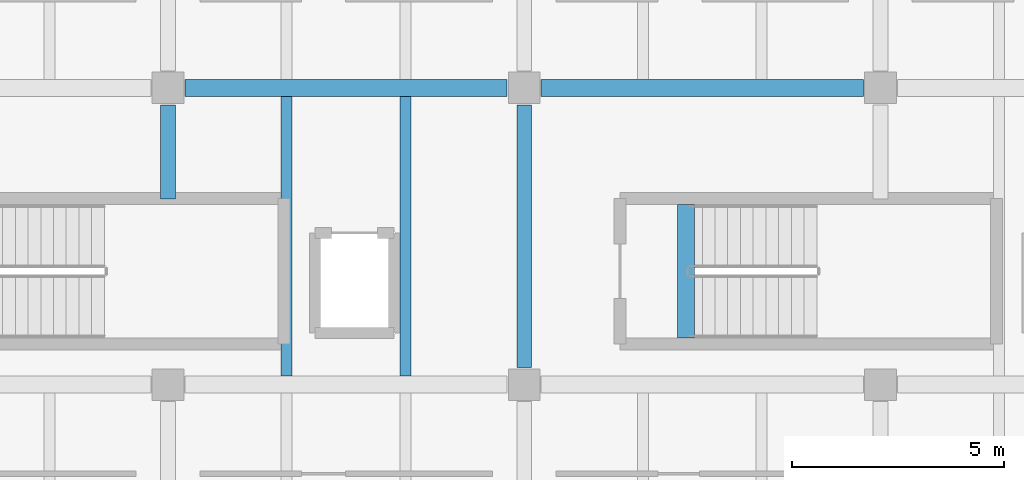
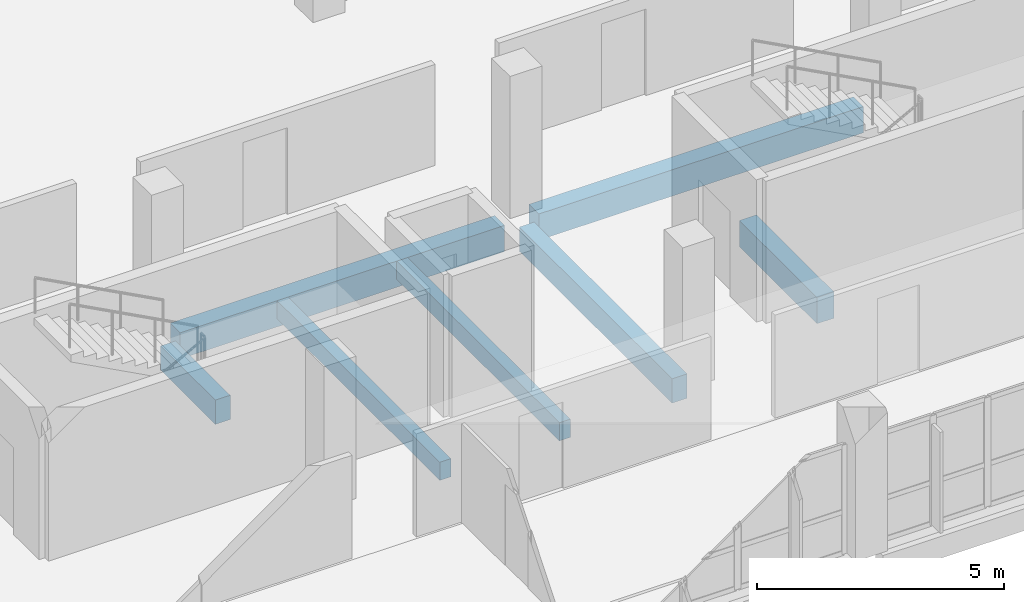
# One storey, part 9 of 95: 7 beams.
"""IFC4 building model written with IfcOpenShell, lengths in metres."""

from ifc_helpers import new_model, si_unit, direction, frame, origin, origin_2d, place, context, subcontext, project, spatial, rectangle, extrude, material, material_profile, profile_set, type_object, element, save


model = new_model("IFC4")

# Units and contexts
model_context = context("Model", 3, precision=1e-05, world=origin(), true_north=direction((0.0, 1.0)))
body_context = subcontext(model_context, "Body", "Model", "MODEL_VIEW")
ifc_project = project(units=[si_unit("LENGTHUNIT", "METRE"), si_unit("AREAUNIT", "SQUARE_METRE"), si_unit("VOLUMEUNIT", "CUBIC_METRE"), si_unit("PLANEANGLEUNIT", "RADIAN"), si_unit("MASSUNIT", "GRAM", prefix="KILO"), si_unit("THERMODYNAMICTEMPERATUREUNIT", "KELVIN"), si_unit("POWERUNIT", "WATT")], contexts=[model_context])

# Site, building, storey
site_placement = place(None, origin())
site = spatial("IfcSite", under=ifc_project, at=site_placement, CompositionType="ELEMENT")
building_placement = place(site_placement, origin())
building = spatial("IfcBuilding", under=site, at=building_placement, Name="Mavoryth Pier Ferry Terminal", CompositionType="ELEMENT")
storey_placement = place(building_placement, frame((0.0, 0.0, 9.60009765625)))
storey = spatial("IfcBuildingStorey", under=building, at=storey_placement, Name="L02", CompositionType="ELEMENT", Elevation=9.60009765625)

# Beams
ifc_material = material(Name="Concrete C35/45", Category="concrete")
ifc_material_profile_1 = material_profile(ifc_material, rectangle(XDim=0.35009765625, YDim=0.60009765625, at=origin_2d()), Name="RC 350x600", Category="concrete")
ifc_profile_set_1 = profile_set([ifc_material_profile_1], Name="Concrete C35/45 - RC 350x600")
beam_type_1 = type_object("IfcBeamType", Name="Girder-RC-350x600", PredefinedType="BEAM", material=ifc_profile_set_1)
beam_1_placement = place(storey_placement, frame((50.39990234375, 11.3798828125, -0.56005859375), z_axis=(0.0, 1.0, 0.0), x_axis=(-1.0, 0.0, 0.0)))
element("IfcBeam", 1, at=beam_1_placement, inside=storey, type_object=beam_type_1, Name="Beam B02-BG08-0979", PredefinedType="BEAM", context=body_context, shape_type="SweptSolid", body=[
    extrude(rectangle(XDim=0.35009765625, YDim=0.60009765625, at=origin_2d()), origin(), (0.0, 0.0, 1.0), 2.22021484375),
])
beam_2_placement = place(storey_placement, frame((58.800048828125, 7.39990234375, -0.56005859375), z_axis=(0.0, 1.0, 0.0), x_axis=(-1.0, 0.0, 0.0)))
element("IfcBeam", 2, at=beam_2_placement, inside=storey, type_object=beam_type_1, Name="Beam B02-BG08-0982", PredefinedType="BEAM", context=body_context, shape_type="SweptSolid", body=[
    extrude(rectangle(XDim=0.35009765625, YDim=0.60009765625, at=origin_2d()), origin(), (0.0, 0.0, 1.0), 6.2001953125),
])
ifc_material_profile_2 = material_profile(ifc_material, rectangle(XDim=0.39990234375, YDim=0.64990234375, at=origin_2d()), Name="RC 400x650", Category="concrete")
ifc_profile_set_2 = profile_set([ifc_material_profile_2], Name="Concrete C35/45 - RC 400x650")
beam_type_2 = type_object("IfcBeamType", Name="Girder-RC-400x650", PredefinedType="BEAM", material=ifc_profile_set_2)
beam_3_placement = place(storey_placement, frame((50.800048828125, 14.0, -0.585205078125), z_axis=(1.0, 0.0, 0.0), x_axis=(0.0, 1.0, 0.0)))
element("IfcBeam", 3, at=beam_3_placement, inside=storey, type_object=beam_type_2, Name="Beam B02-BG05-0964", PredefinedType="BEAM", context=body_context, shape_type="SweptSolid", body=[
    extrude(rectangle(XDim=0.39990234375, YDim=0.64990234375, at=origin_2d()), origin(), (0.0, 0.0, 1.0), 7.599853515625),
])
beam_4_placement = place(storey_placement, frame((59.199951171875, 14.0, -0.585205078125), z_axis=(1.0, 0.0, 0.0), x_axis=(0.0, 1.0, 0.0)))
element("IfcBeam", 4, at=beam_4_placement, inside=storey, type_object=beam_type_2, Name="Beam B02-BG05-0965", PredefinedType="BEAM", context=body_context, shape_type="SweptSolid", body=[
    extrude(rectangle(XDim=0.39990234375, YDim=0.64990234375, at=origin_2d()), origin(), (0.0, 0.0, 1.0), 7.60009765625),
])
beam_5_placement = place(storey_placement, frame((62.6201171875, 8.10009765625, -0.3251953125), z_axis=(0.0, 1.0, 0.0), x_axis=(-1.0, 0.0, 0.0)))
element("IfcBeam", 5, at=beam_5_placement, inside=storey, type_object=beam_type_2, Name="Beam B02-BG05-1589", PredefinedType="BEAM", context=body_context, shape_type="SweptSolid", body=[
    extrude(rectangle(XDim=0.39990234375, YDim=0.64990234375, at=origin_2d()), origin(), (0.0, 0.0, 1.0), 3.14990234375),
])
ifc_material_profile_3 = material_profile(ifc_material, rectangle(XDim=0.260009765625, YDim=0.449951171875, at=origin_2d()), Name="RC 260x450", Category="concrete")
ifc_profile_set_3 = profile_set([ifc_material_profile_3], Name="Concrete C35/45 - RC 260x450")
beam_type_3 = type_object("IfcBeamType", Name="Joist-RC-260x450", PredefinedType="JOIST", material=ifc_profile_set_3)
for number, where, z_axis, x_axis, name in (
    (6, (53.199951171875, 7.199951171875, -0.485107421875), (0.0, 1.0, 0.0), (-1.0, 0.0, 0.0), "Beam B02-BJ03-1002"),
    (7, (56.0, 7.199951171875, -0.485107421875), (0.0, 1.0, 0.0), (-1.0, 0.0, 0.0), "Beam B02-BJ03-1003"),
):
    element("IfcBeam", number, at=place(storey_placement, frame(where, z_axis=z_axis, x_axis=x_axis)), inside=storey, type_object=beam_type_3, Name=name, PredefinedType="JOIST", context=body_context, shape_type="SweptSolid", body=[
        extrude(rectangle(XDim=0.260009765625, YDim=0.449951171875, at=origin_2d()), origin(), (0.0, 0.0, 1.0), 6.60009765625),
    ])

save(model, "model.ifc")
